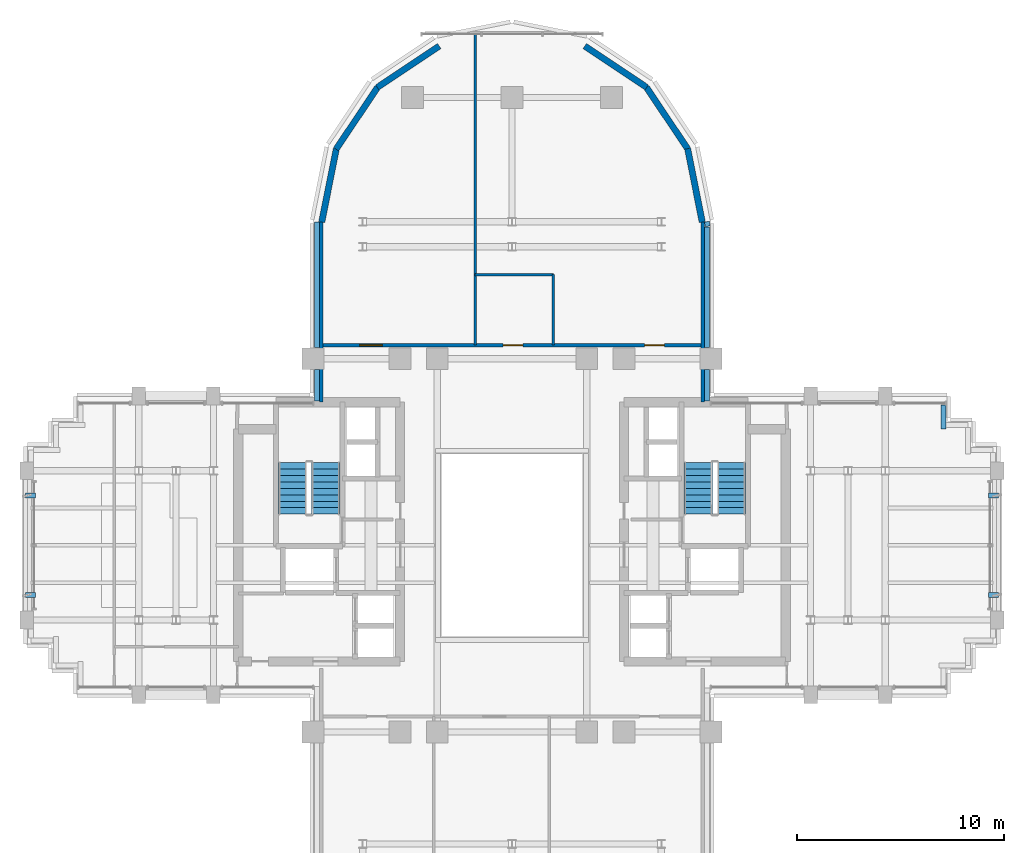
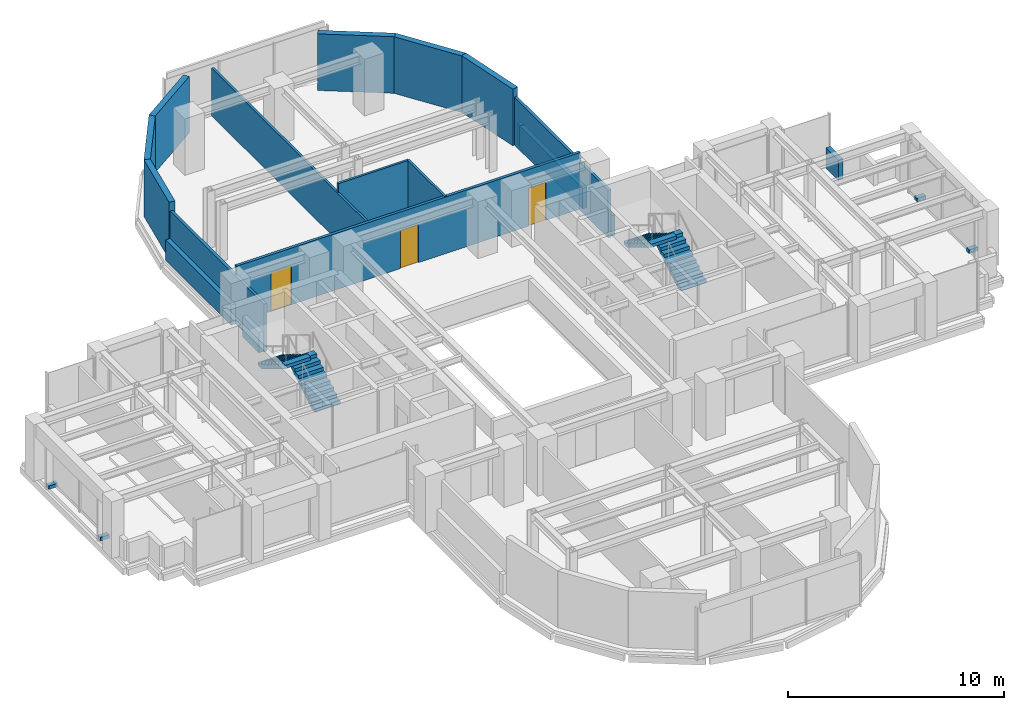
# One storey, part 10 of 13: 18 walls, 4 discrete accessories, 4 stair flights, 3 doors, 3 openings, 2 elements without a shape of their own.
"""IFC4 building model written with IfcOpenShell, lengths in metres."""

from ifc_helpers import new_model, si_unit, direction, frame, frame_2d, origin, origin_2d, place, context, subcontext, project, spatial, polyline, rectangle, outline, extrude, source, transform, mapped, material, layer, layer_set, type_object, element, fill, aggregate, save


model = new_model("IFC4")

# Units and contexts
model_context = context("Model", 3, precision=1e-05, world=origin(), true_north=direction((0.0, 1.0)))
body_context = subcontext(model_context, "Body", "Model", "MODEL_VIEW")
ifc_project = project(units=[si_unit("LENGTHUNIT", "METRE"), si_unit("AREAUNIT", "SQUARE_METRE"), si_unit("VOLUMEUNIT", "CUBIC_METRE"), si_unit("PLANEANGLEUNIT", "RADIAN"), si_unit("MASSUNIT", "GRAM", prefix="KILO")], contexts=[model_context])

# Site, building, storey
site_placement = place(None, origin())
site = spatial("IfcSite", under=ifc_project, at=site_placement, CompositionType="ELEMENT")
building_placement = place(site_placement, origin())
building = spatial("IfcBuilding", under=site, at=building_placement, Name="Keilestroom Media Tower", CompositionType="ELEMENT")
storey_placement = place(building_placement, frame((0.0, 0.0, 141.39990234375)))
storey = spatial("IfcBuildingStorey", under=building, at=storey_placement, Name="L38", CompositionType="ELEMENT", Elevation=141.39990234375)

# Walls
ifc_material_1 = material(Name="Precast concrete C40/50", Category="concrete")
ifc_layer_1 = layer(ifc_material_1, 0.300048828125)
ifc_layer_set_1 = layer_set([ifc_layer_1], Name="Precast concrete C40/50")
wall_type_1 = type_object("IfcWallType", Name="Exterior-Masonry-Spandrel-Wall-300", PredefinedType="SOLIDWALL", material=ifc_layer_set_1)
for number, where, z_axis, x_axis, name in (
    (1, (9.1748046875, 15.585205078125, 0.0), (0.0, 0.0, 1.0), (-0.195114232679, 0.980780523974, 0.0), "L38 Lobe Facet Precast Frame Wall 01"),
    (2, (8.48193359375, 19.097412109375, 0.0), (0.0, 0.0, 1.0), (-0.555574187116, 0.831466970246, 0.0), "L38 Lobe Facet Precast Frame Wall 02"),
):
    element("IfcWall", number, at=place(storey_placement, frame(where, z_axis=z_axis, x_axis=x_axis)), inside=storey, type_object=wall_type_1, Name=name, PredefinedType="SOLIDWALL", context=body_context, shape_type="SweptSolid", body=[
        extrude(rectangle(XDim=3.608642578125, YDim=0.300048828125, at=frame_2d((1.80419921875, 0.0))), origin(), (0.0, 0.0, 1.0), 3.2001953125),
    ])
for number, where, z_axis, x_axis, name in (
    (3, (6.497802734375, 22.0771484375, 0.0), (0.0, 0.0, 1.0), (-0.8314749531, 0.555562239868, 0.0), "L38 Lobe Facet Precast Frame Wall 03"),
    (4, (-3.510009765625, 24.073486328125, 0.0), (0.0, 0.0, 1.0), (-0.8314749531, -0.555562239868, 0.0), "L38 Lobe Facet Precast Frame Wall 04"),
):
    element("IfcWall", number, at=place(storey_placement, frame(where, z_axis=z_axis, x_axis=x_axis)), inside=storey, type_object=wall_type_1, Name=name, PredefinedType="SOLIDWALL", context=body_context, shape_type="SweptSolid", body=[
        extrude(rectangle(XDim=3.59326171875, YDim=0.300048828125, at=frame_2d((1.796630859375, 0.0))), origin(), (0.0, 0.0, 1.0), 3.2001953125),
    ])
for number, where, z_axis, x_axis, name in (
    (5, (-6.47705078125, 22.097900390625, 0.0), (0.0, 0.0, 1.0), (-0.555574187116, -0.831466970246, 0.0), "L38 Lobe Facet Precast Frame Wall 05"),
    (6, (-8.470703125, 19.12451171875, 0.0), (0.0, 0.0, 1.0), (-0.195114232679, -0.980780523974, 0.0), "L38 Lobe Facet Precast Frame Wall 06"),
):
    element("IfcWall", number, at=place(storey_placement, frame(where, z_axis=z_axis, x_axis=x_axis)), inside=storey, type_object=wall_type_1, Name=name, PredefinedType="SOLIDWALL", context=body_context, shape_type="SweptSolid", body=[
        extrude(rectangle(XDim=3.608642578125, YDim=0.300048828125, at=frame_2d((1.80419921875, 0.0))), origin(), (0.0, 0.0, 1.0), 3.2001953125),
    ])
ifc_material_2 = material(Name="Gypsum Plasterboard & Steel Stud", Category="steel")
ifc_layer_2 = layer(ifc_material_2, 0.1201171875)
ifc_layer_set_2 = layer_set([ifc_layer_2], Name="Gypsum Plasterboard & Steel Stud")
wall_type_2 = type_object("IfcWallType", Name="Interior-Partition-Wall-120", PredefinedType="PARTITIONING", material=ifc_layer_set_2)
wall_1_placement = place(storey_placement, frame((-1.780029296875, 9.64990234375, 0.0), z_axis=(0.0, 0.0, 1.0), x_axis=(0.0, 1.0, 0.0)))
element("IfcWall", 7, at=wall_1_placement, inside=storey, type_object=wall_type_2, Name="L38 Interior Wall WP-L38-NL-V1", PredefinedType="PARTITIONING", context=body_context, shape_type="SweptSolid", body=[
    extrude(rectangle(XDim=15.0, YDim=0.1201171875, at=frame_2d((7.5, 0.0))), origin(), (0.0, 0.0, 1.0), 2.7001953125),
])
wall_2_placement = place(storey_placement, frame((-1.780029296875, 13.050048828125, 0.0), z_axis=(0.0, 0.0, 1.0), x_axis=(1.0, 0.0, 0.0)))
element("IfcWall", 8, at=wall_2_placement, inside=storey, type_object=wall_type_2, Name="L38 Interior Wall WP-L38-NL-WC-N", PredefinedType="PARTITIONING", context=body_context, shape_type="SweptSolid", body=[
    extrude(rectangle(XDim=3.780029296875, YDim=0.1201171875, at=frame_2d((1.89013671875, 0.0))), origin(), (0.0, 0.0, 1.0), 3.2001953125),
])
wall_3_placement = place(storey_placement, frame((2.0, 9.64990234375, 0.0), z_axis=(0.0, 0.0, 1.0), x_axis=(0.0, 1.0, 0.0)))
element("IfcWall", 9, at=wall_3_placement, inside=storey, type_object=wall_type_2, Name="L38 Interior Wall WP-L38-NL-WC-E", PredefinedType="PARTITIONING", context=body_context, shape_type="SweptSolid", body=[
    extrude(rectangle(XDim=3.400146484375, YDim=0.1201171875, at=frame_2d((1.7001953125, 0.0))), origin(), (0.0, 0.0, 1.0), 3.2001953125),
])

# Wall, openings, doors
ifc_layer_3 = layer(ifc_material_2, 0.14990234375)
ifc_layer_set_3 = layer_set([ifc_layer_3], Name="Gypsum Plasterboard & Steel Stud")
wall_type_3 = type_object("IfcWallType", Name="Interior-Partition-Wall-150", PredefinedType="PARTITIONING", material=ifc_layer_set_3)
wall_4_placement = place(storey_placement, frame((-9.199951171875, 9.64990234375, 0.0), z_axis=(0.0, 0.0, 1.0), x_axis=(1.0, 0.0, 0.0)))
wall_4 = element("IfcWall", 10, at=wall_4_placement, inside=storey, type_object=wall_type_3, Name="L38 Interior Wall WP-L38-NL-BASE", PredefinedType="PARTITIONING", context=body_context, shape_type="SweptSolid", body=[
    extrude(rectangle(XDim=18.39990234375, YDim=0.14990234375, at=frame_2d((9.199951171875, 0.0))), origin(), (0.0, 0.0, 1.0), 3.2001953125),
])
opening_1_placement = place(wall_4_placement, frame((8.77001953125, 0.0, 0.0)))
opening_1 = element("IfcOpeningElement", 11, at=opening_1_placement, cuts=wall_4, Name="Opening DI-03", PredefinedType="OPENING", context=body_context, shape_type="SweptSolid", body=[
    extrude(rectangle(XDim=0.949951171875, YDim=2.14990234375, at=frame_2d((0.47509765625, 1.074951171875))), frame((0.0, 0.0849609375, 0.0), z_axis=(0.0, -1.0, 0.0), x_axis=(1.0, 0.0, 0.0)), (0.0, 0.0, 1.0), 0.169921875),
])
opening_2_placement = place(wall_4_placement, frame((1.85009765625, 0.0, 0.0)))
opening_2 = element("IfcOpeningElement", 12, at=opening_2_placement, cuts=wall_4, Name="Opening DI-04", PredefinedType="OPENING", context=body_context, shape_type="SweptSolid", body=[
    extrude(rectangle(XDim=1.10009765625, YDim=2.199951171875, at=frame_2d((0.550048828125, 1.10009765625))), frame((0.0, 0.0849609375, 0.0), z_axis=(0.0, -1.0, 0.0), x_axis=(1.0, 0.0, 0.0)), (0.0, 0.0, 1.0), 0.169921875),
])
opening_3_placement = place(wall_4_placement, frame((15.60009765625, 0.0, 0.0)))
opening_3 = element("IfcOpeningElement", 13, at=opening_3_placement, cuts=wall_4, Name="Opening DI-03", PredefinedType="OPENING", context=body_context, shape_type="SweptSolid", body=[
    extrude(rectangle(XDim=0.949951171875, YDim=2.14990234375, at=frame_2d((0.47509765625, 1.074951171875))), frame((0.0, 0.0849609375, 0.0), z_axis=(0.0, -1.0, 0.0), x_axis=(1.0, 0.0, 0.0)), (0.0, 0.0, 1.0), 0.169921875),
])
ifc_material_3 = material(Name="Lacquered European Oak Leaf", Category="wood")
door_type_1 = type_object("IfcDoorType", Name="Interior-Room-And-Suite-Door-DI-03", OperationType="NOTDEFINED", PredefinedType="DOOR", material=ifc_material_3)
shared_shape_1 = source(origin(), body_context, "Body", "SweptSolid", [
    extrude(rectangle(XDim=0.949951171875, YDim=2.14990234375, at=frame_2d((0.47509765625, 1.074951171875))), frame((0.0, 0.02490234375, 0.0), z_axis=(0.0, -1.0, 0.0), x_axis=(1.0, 0.0, 0.0)), (0.0, 0.0, 1.0), 0.050048828125),
])
door_1_placement = place(opening_1_placement, origin())
door_1 = element("IfcDoor", 14, at=door_1_placement, inside=storey, type_object=door_type_1, Name="L38 Interior Door DI-L38-DNL-WC", OperationType="SINGLE_SWING_RIGHT", OverallHeight=2.14990234375, OverallWidth=0.949951171875, PredefinedType="DOOR", context=body_context, shape_type="MappedRepresentation", body=[
    mapped(shared_shape_1, transform((0.0, 0.0, 0.0), x_axis=(1.0, 0.0, 0.0), y_axis=(0.0, 1.0, 0.0), z_axis=(0.0, 0.0, 1.0), scale=1.0)),
])
fill(opening_1, door_1)
door_2_placement = place(opening_3_placement, origin())
door_2 = element("IfcDoor", 15, at=door_2_placement, inside=storey, type_object=door_type_1, Name="L38 Interior Door DI-L38-DNL-B", OperationType="SINGLE_SWING_RIGHT", OverallHeight=2.14990234375, OverallWidth=0.949951171875, PredefinedType="DOOR", context=body_context, shape_type="MappedRepresentation", body=[
    mapped(shared_shape_1, transform((0.0, 0.0, 0.0), x_axis=(1.0, 0.0, 0.0), y_axis=(0.0, 1.0, 0.0), z_axis=(0.0, 0.0, 1.0), scale=1.0)),
])
fill(opening_3, door_2)
ifc_material_4 = material(Name="Acoustic Glazed Aluminium Leaf", Category="aluminium")
door_type_2 = type_object("IfcDoorType", Name="Interior-Room-And-Suite-Door-DI-04", OperationType="NOTDEFINED", PredefinedType="DOOR", material=ifc_material_4)
shared_shape_2 = source(origin(), body_context, "Body", "SweptSolid", [
    extrude(rectangle(XDim=1.10009765625, YDim=2.199951171875, at=frame_2d((0.550048828125, 1.10009765625))), frame((0.0, 0.02490234375, 0.0), z_axis=(0.0, -1.0, 0.0), x_axis=(1.0, 0.0, 0.0)), (0.0, 0.0, 1.0), 0.050048828125),
])
door_3_placement = place(opening_2_placement, origin())
door_3 = element("IfcDoor", 16, at=door_3_placement, inside=storey, type_object=door_type_2, Name="L38 Interior Door DI-L38-DNL-A", OperationType="SINGLE_SWING_LEFT", OverallHeight=2.199951171875, OverallWidth=1.10009765625, PredefinedType="DOOR", context=body_context, shape_type="MappedRepresentation", body=[
    mapped(shared_shape_2, transform((0.0, 0.0, 0.0), x_axis=(1.0, 0.0, 0.0), y_axis=(0.0, 1.0, 0.0), z_axis=(0.0, 0.0, 1.0), scale=1.0)),
])
fill(opening_2, door_3)

# Walls
for number, where, z_axis, x_axis, name in (
    (17, (-9.199951171875, 6.89990234375, 0.0), (0.0, 0.0, 1.0), (0.0, 1.0, 0.0), "L38 Interior Wall WP-L38-NL-CHKW"),
    (18, (9.199951171875, 6.89990234375, 0.0), (0.0, 0.0, 1.0), (0.0, 1.0, 0.0), "L38 Interior Wall WP-L38-NL-CHKE"),
):
    element("IfcWall", number, at=place(storey_placement, frame(where, z_axis=z_axis, x_axis=x_axis)), inside=storey, type_object=wall_type_3, Name=name, PredefinedType="PARTITIONING", context=body_context, shape_type="SweptSolid", body=[
        extrude(rectangle(XDim=8.780029296875, YDim=0.14990234375, at=frame_2d((4.39013671875, 0.0))), origin(), (0.0, 0.0, 1.0), 2.7001953125),
    ])
ifc_layer_4 = layer(ifc_material_1, 0.239990234375)
ifc_layer_set_4 = layer_set([ifc_layer_4], Name="Precast concrete C40/50")
wall_type_4 = type_object("IfcWallType", Name="Roof-And-Terrace-Parapet-Wall-240", PredefinedType="PARAPET", material=ifc_layer_set_4)
wall_5_placement = place(storey_placement, frame((-9.39990234375, 6.952880859375, 0.0), z_axis=(0.0, 0.0, 1.0), x_axis=(0.0, 1.0, 0.0)))
element("IfcWall", 19, at=wall_5_placement, inside=storey, type_object=wall_type_4, Name="L38 Perimeter Edge Parapet Wall 21", PredefinedType="PARAPET", context=body_context, shape_type="SweptSolid", body=[
    extrude(rectangle(XDim=1.51904296875, YDim=0.239990234375, at=frame_2d((0.759521484375, 0.0))), origin(), (0.0, 0.0, 1.0), 1.150146484375),
])
wall_6_placement = place(storey_placement, frame((-9.39990234375, 9.528076171875, 0.0), z_axis=(0.0, 0.0, 1.0), x_axis=(0.0, 1.0, 0.0)))
element("IfcWall", 20, at=wall_6_placement, inside=storey, type_object=wall_type_4, Name="L38 Perimeter Edge Parapet Wall 22", PredefinedType="PARAPET", context=body_context, shape_type="SweptSolid", body=[
    extrude(rectangle(XDim=6.07470703125, YDim=0.239990234375, at=frame_2d((3.037353515625, 0.0))), origin(), (0.0, 0.0, 1.0), 1.150146484375),
])
wall_7_placement = place(storey_placement, frame((9.395263671875, 15.604248046875, 0.0), z_axis=(0.0, 0.0, 1.0), x_axis=(0.194652052864, -0.980872355771, 0.0)))
element("IfcWall", 21, at=wall_7_placement, inside=storey, type_object=wall_type_4, Name="L38 Perimeter Edge Parapet Wall 23", PredefinedType="PARAPET", context=body_context, shape_type="SweptSolid", body=[
    extrude(rectangle(XDim=0.224609375, YDim=0.239990234375, at=frame_2d((0.1123046875, 0.0))), origin(), (0.0, 0.0, 1.0), 1.150146484375),
])
wall_8_placement = place(storey_placement, frame((9.39990234375, 15.357666015625, 0.0), z_axis=(0.0, 0.0, 1.0), x_axis=(0.0, -1.0, 0.0)))
element("IfcWall", 22, at=wall_8_placement, inside=storey, type_object=wall_type_4, Name="L38 Perimeter Edge Parapet Wall 24", PredefinedType="PARAPET", context=body_context, shape_type="SweptSolid", body=[
    extrude(rectangle(XDim=5.82958984375, YDim=0.239990234375, at=frame_2d((2.914794921875, 0.0))), origin(), (0.0, 0.0, 1.0), 1.150146484375),
])
wall_9_placement = place(storey_placement, frame((9.39990234375, 8.471923828125, 0.0), z_axis=(0.0, 0.0, 1.0), x_axis=(0.0, -1.0, 0.0)))
element("IfcWall", 23, at=wall_9_placement, inside=storey, type_object=wall_type_4, Name="L38 Perimeter Edge Parapet Wall 25", PredefinedType="PARAPET", context=body_context, shape_type="SweptSolid", body=[
    extrude(rectangle(XDim=1.51904296875, YDim=0.239990234375, at=frame_2d((0.759521484375, 0.0))), origin(), (0.0, 0.0, 1.0), 1.150146484375),
])
wall_10_placement = place(storey_placement, frame((20.800048828125, 6.757080078125, 0.0), z_axis=(0.0, 0.0, 1.0), x_axis=(0.0, -1.0, 0.0)))
element("IfcWall", 24, at=wall_10_placement, inside=storey, type_object=wall_type_4, Name="L38 Perimeter Edge Parapet Wall 26", PredefinedType="PARAPET", context=body_context, shape_type="SweptSolid", body=[
    extrude(rectangle(XDim=1.156982421875, YDim=0.239990234375, at=frame_2d((0.57861328125, 0.0))), origin(), (0.0, 0.0, 1.0), 1.150146484375),
])

# Stair, stair flights
ifc_material_5 = material(Name="Concrete C45/55", Category="concrete")
stair_type = type_object("IfcStairType", Name="Enclosed-Dog-Leg-Stair-ST-CORE", PredefinedType="HALF_TURN_STAIR", material=ifc_material_5)
stair_1_placement = place(storey_placement, origin())
stair_1 = element("IfcStair", 25, at=stair_1_placement, inside=storey, type_object=stair_type, Name="L38 West Core Escape Stair ST-1", PredefinedType="HALF_TURN_STAIR")
stair_flight_type = type_object("IfcStairFlightType", Name="Precast-Concrete-Stair-Flight-Core-160", PredefinedType="STRAIGHT", material=ifc_material_1)
stair_flight_1_placement = place(storey_placement, frame((-8.97998046875, 1.5, 0.0), z_axis=(0.0, 0.0, 1.0), x_axis=(0.0, 1.0, 0.0)))
stair_flight_1 = element("IfcStairFlight", 26, at=stair_flight_1_placement, type_object=stair_flight_type, Name="ST-1 flight 1", NumberOfRisers=9, NumberOfTreads=8, PredefinedType="STRAIGHT", RiserHeight=0.188888889, TreadLength=0.312, context=body_context, shape_type="SweptSolid", body=[
    extrude(outline(polyline([(0.0, 0.0), (0.0, 0.18896484375), (0.31201171875, 0.18896484375), (0.31201171875, 0.377685546875), (0.6240234375, 0.377685546875), (0.6240234375, 0.566650390625), (0.93603515625, 0.566650390625), (0.93603515625, 0.755615234375), (1.248046875, 0.755615234375), (1.248046875, 0.9443359375), (1.56005859375, 0.9443359375), (1.56005859375, 1.13330078125), (1.8720703125, 1.13330078125), (1.8720703125, 1.322265625), (2.18408203125, 1.322265625), (2.18408203125, 1.51123046875), (2.49609375, 1.51123046875), (2.49609375, 1.699951171875), (2.49609375, 1.32421875), (0.308837890625, 0.0), (0.0, 0.0)])), frame((0.0, 0.68017578125, 0.0), z_axis=(0.0, -1.0, 0.0), x_axis=(1.0, 0.0, 0.0)), (0.0, 0.0, 1.0), 1.360107421875),
])
stair_flight_2_placement = place(storey_placement, frame((-10.580078125, 3.99609375, 1.7001953125), z_axis=(0.0, 0.0, 1.0), x_axis=(0.0, -1.0, 0.0)))
stair_flight_2 = element("IfcStairFlight", 27, at=stair_flight_2_placement, type_object=stair_flight_type, Name="ST-1 flight 2", NumberOfRisers=9, NumberOfTreads=8, PredefinedType="STRAIGHT", RiserHeight=0.188888889, TreadLength=0.312, context=body_context, shape_type="SweptSolid", body=[
    extrude(outline(polyline([(0.0, 0.0), (0.0, 0.18896484375), (0.31201171875, 0.18896484375), (0.31201171875, 0.377685546875), (0.6240234375, 0.377685546875), (0.6240234375, 0.566650390625), (0.93603515625, 0.566650390625), (0.93603515625, 0.755615234375), (1.248046875, 0.755615234375), (1.248046875, 0.9443359375), (1.56005859375, 0.9443359375), (1.56005859375, 1.13330078125), (1.8720703125, 1.13330078125), (1.8720703125, 1.322265625), (2.18408203125, 1.322265625), (2.18408203125, 1.51123046875), (2.49609375, 1.51123046875), (2.49609375, 1.699951171875), (2.49609375, 1.32421875), (0.308837890625, 0.0), (0.0, 0.0)])), frame((0.0, 0.68017578125, 0.0), z_axis=(0.0, -1.0, 0.0), x_axis=(1.0, 0.0, 0.0)), (0.0, 0.0, 1.0), 1.360107421875),
])
aggregate(stair_1, [stair_flight_1, stair_flight_2])

stair_2_placement = place(storey_placement, origin())
stair_2 = element("IfcStair", 28, at=stair_2_placement, inside=storey, type_object=stair_type, Name="L38 East Core Escape Stair ST-2", PredefinedType="HALF_TURN_STAIR")
stair_flight_3_placement = place(storey_placement, frame((10.580078125, 1.5, 0.0), z_axis=(0.0, 0.0, 1.0), x_axis=(0.0, 1.0, 0.0)))
stair_flight_3 = element("IfcStairFlight", 29, at=stair_flight_3_placement, type_object=stair_flight_type, Name="ST-2 flight 1", NumberOfRisers=9, NumberOfTreads=8, PredefinedType="STRAIGHT", RiserHeight=0.188888889, TreadLength=0.312, context=body_context, shape_type="SweptSolid", body=[
    extrude(outline(polyline([(0.0, 0.0), (0.0, 0.18896484375), (0.31201171875, 0.18896484375), (0.31201171875, 0.377685546875), (0.6240234375, 0.377685546875), (0.6240234375, 0.566650390625), (0.93603515625, 0.566650390625), (0.93603515625, 0.755615234375), (1.248046875, 0.755615234375), (1.248046875, 0.9443359375), (1.56005859375, 0.9443359375), (1.56005859375, 1.13330078125), (1.8720703125, 1.13330078125), (1.8720703125, 1.322265625), (2.18408203125, 1.322265625), (2.18408203125, 1.51123046875), (2.49609375, 1.51123046875), (2.49609375, 1.699951171875), (2.49609375, 1.32421875), (0.308837890625, 0.0), (0.0, 0.0)])), frame((0.0, 0.68017578125, 0.0), z_axis=(0.0, -1.0, 0.0), x_axis=(1.0, 0.0, 0.0)), (0.0, 0.0, 1.0), 1.360107421875),
])
stair_flight_4_placement = place(storey_placement, frame((8.97998046875, 3.99609375, 1.7001953125), z_axis=(0.0, 0.0, 1.0), x_axis=(0.0, -1.0, 0.0)))
stair_flight_4 = element("IfcStairFlight", 30, at=stair_flight_4_placement, type_object=stair_flight_type, Name="ST-2 flight 2", NumberOfRisers=9, NumberOfTreads=8, PredefinedType="STRAIGHT", RiserHeight=0.188888889, TreadLength=0.312, context=body_context, shape_type="SweptSolid", body=[
    extrude(outline(polyline([(0.0, 0.0), (0.0, 0.18896484375), (0.31201171875, 0.18896484375), (0.31201171875, 0.377685546875), (0.6240234375, 0.377685546875), (0.6240234375, 0.566650390625), (0.93603515625, 0.566650390625), (0.93603515625, 0.755615234375), (1.248046875, 0.755615234375), (1.248046875, 0.9443359375), (1.56005859375, 0.9443359375), (1.56005859375, 1.13330078125), (1.8720703125, 1.13330078125), (1.8720703125, 1.322265625), (2.18408203125, 1.322265625), (2.18408203125, 1.51123046875), (2.49609375, 1.51123046875), (2.49609375, 1.699951171875), (2.49609375, 1.32421875), (0.308837890625, 0.0), (0.0, 0.0)])), frame((0.0, 0.68017578125, 0.0), z_axis=(0.0, -1.0, 0.0), x_axis=(1.0, 0.0, 0.0)), (0.0, 0.0, 1.0), 1.360107421875),
])
aggregate(stair_2, [stair_flight_3, stair_flight_4])

# Discrete accessories
ifc_material_6 = material(Name="Stainless Steel 1.4401", Category="steel")
discrete_accessory_type = type_object("IfcDiscreteAccessoryType", Name="Facade-Fin-Fixing-Bracket-BRK-1", PredefinedType="BRACKET", material=ifc_material_6)
shared_shape_3 = source(origin(), body_context, "Body", "SweptSolid", [
    extrude(rectangle(XDim=0.47998046875, YDim=0.239990234375, at=origin_2d()), origin(), (0.0, 0.0, 1.0), 0.199951171875),
])
for number, where, z_axis, x_axis, name in (
    (31, (-23.2099609375, -2.39990234375, -0.009765625), (0.0, 0.0, 1.0), (1.0, 0.0, 0.0), "L38 Sunshade Fin Bracket BRK-1 049"),
    (32, (-23.2099609375, 2.39990234375, -0.009765625), (0.0, 0.0, 1.0), (1.0, 0.0, 0.0), "L38 Sunshade Fin Bracket BRK-1 050"),
    (33, (23.2099609375, -2.39990234375, -0.009765625), (0.0, 0.0, 1.0), (1.0, 0.0, 0.0), "L38 Sunshade Fin Bracket BRK-1 051"),
    (34, (23.2099609375, 2.39990234375, -0.009765625), (0.0, 0.0, 1.0), (1.0, 0.0, 0.0), "L38 Sunshade Fin Bracket BRK-1 052"),
):
    element("IfcDiscreteAccessory", number, at=place(storey_placement, frame(where, z_axis=z_axis, x_axis=x_axis)), inside=storey, type_object=discrete_accessory_type, Name=name, PredefinedType="BRACKET", context=body_context, shape_type="MappedRepresentation", body=[
        mapped(shared_shape_3, transform((0.0, 0.0, 0.0), x_axis=(1.0, 0.0, 0.0), y_axis=(0.0, 1.0, 0.0), z_axis=(0.0, 0.0, 1.0), scale=1.0)),
    ])

save(model, "model.ifc")
